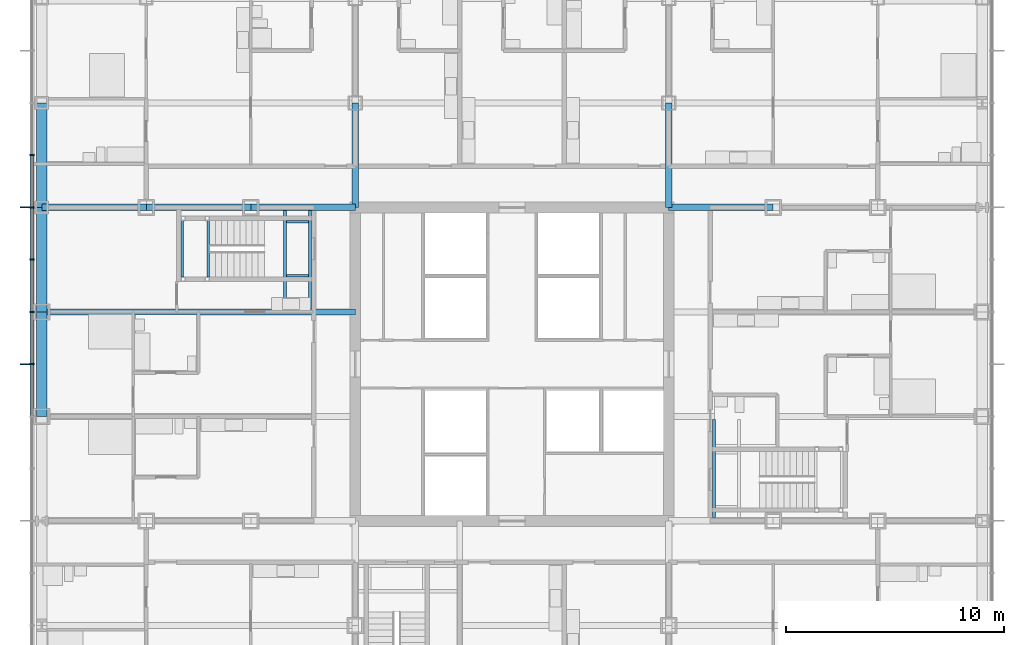
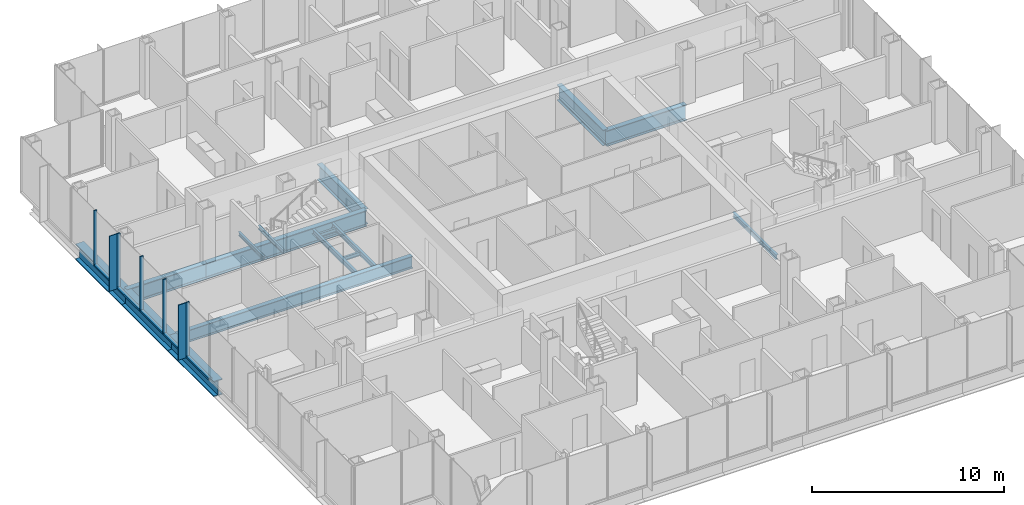
# One storey, part 8 of 21: 17 beams, 12 members, 1 element without a shape of its own.
"""IFC4 building model written with IfcOpenShell, lengths in metres."""

from ifc_helpers import new_model, si_unit, direction, frame, origin, origin_2d, place, context, subcontext, project, spatial, rectangle, i_section, extrude, material, material_profile, profile_set, type_object, element, aggregate, save


model = new_model("IFC4")

# Units and contexts
model_context = context("Model", 3, precision=1e-05, world=origin(), true_north=direction((0.0, 1.0)))
body_context = subcontext(model_context, "Body", "Model", "MODEL_VIEW")
ifc_project = project(units=[si_unit("LENGTHUNIT", "METRE"), si_unit("AREAUNIT", "SQUARE_METRE"), si_unit("VOLUMEUNIT", "CUBIC_METRE"), si_unit("PLANEANGLEUNIT", "RADIAN"), si_unit("MASSUNIT", "GRAM", prefix="KILO")], contexts=[model_context])

# Site, building, storey
site_placement = place(None, origin())
site = spatial("IfcSite", under=ifc_project, at=site_placement, CompositionType="ELEMENT")
building_placement = place(site_placement, origin())
building = spatial("IfcBuilding", under=site, at=building_placement, Name="Kvirike Care Tower", CompositionType="ELEMENT")
storey_placement = place(building_placement, frame((0.0, 0.0, 48.0)))
storey = spatial("IfcBuildingStorey", under=building, at=storey_placement, Name="L12", CompositionType="ELEMENT", Elevation=48.0)

# Curtain wall, members
ifc_material_1 = material(Name="Anodised aluminium stick system", Category="aluminium")
curtain_wall_type = type_object("IfcCurtainWallType", Name="CW-A STICK CURTAIN WALL", PredefinedType="NOTDEFINED", material=ifc_material_1)
curtain_wall_placement = place(storey_placement, origin())
curtain_wall = element("IfcCurtainWall", 1, at=curtain_wall_placement, inside=storey, type_object=curtain_wall_type, Name="Curtain wall L12 face 1", PredefinedType="NOTDEFINED")
ifc_material_2 = material(Name="Bronze anodised aluminium fin", Category="aluminium")
ifc_material_profile_1 = material_profile(ifc_material_2, rectangle(XDim=0.050048828125, YDim=0.449951171875, at=origin_2d()), Name="BRONZE FIN 450")
ifc_profile_set_1 = profile_set([ifc_material_profile_1], Name="Bronze anodised aluminium fin")
member_type_1 = type_object("IfcMemberType", Name="BRONZE FIN 450", PredefinedType="USERDEFINED", material=ifc_profile_set_1)
member_1_placement = place(storey_placement, frame((-0.77490234375, 43.199951171875, 0.0), z_axis=(0.0, 0.0, 1.0), x_axis=(0.0, -1.0, 0.0)))
member_1 = element("IfcMember", 2, at=member_1_placement, type_object=member_type_1, Name="Bronze fin L12 face 1.5", ObjectType="FIN", PredefinedType="USERDEFINED", context=body_context, shape_type="SweptSolid", body=[
    extrude(rectangle(XDim=0.050048828125, YDim=0.449951171875, at=origin_2d()), origin(), (0.0, 0.0, 1.0), 3.5),
])
member_2_placement = place(storey_placement, frame((-0.77490234375, 36.0, 0.0), z_axis=(0.0, 0.0, 1.0), x_axis=(0.0, -1.0, 0.0)))
member_2 = element("IfcMember", 3, at=member_2_placement, type_object=member_type_1, Name="Bronze fin L12 face 1.8", ObjectType="FIN", PredefinedType="USERDEFINED", context=body_context, shape_type="SweptSolid", body=[
    extrude(rectangle(XDim=0.050048828125, YDim=0.449951171875, at=origin_2d()), origin(), (0.0, 0.0, 1.0), 3.5),
])
ifc_material_3 = material(Name="Bronze anodised aluminium mullion", Category="aluminium")
ifc_material_profile_2 = material_profile(ifc_material_3, rectangle(XDim=0.06494140625, YDim=0.199951171875, at=origin_2d()), Name="CW-A MULLION 65x200")
ifc_profile_set_2 = profile_set([ifc_material_profile_2], Name="Bronze anodised aluminium mullion")
member_type_2 = type_object("IfcMemberType", Name="CW-A MULLION 65x200", PredefinedType="MULLION", material=ifc_profile_set_2)
member_3_placement = place(storey_placement, frame((-0.449951171875, 45.60009765625, 0.0), z_axis=(0.0, 0.0, 1.0), x_axis=(0.0, -1.0, 0.0)))
member_3 = element("IfcMember", 4, at=member_3_placement, type_object=member_type_2, Name="CW-A mullion L12 face 1.4", PredefinedType="MULLION", context=body_context, shape_type="SweptSolid", body=[
    extrude(rectangle(XDim=0.06494140625, YDim=0.199951171875, at=origin_2d()), origin(), (0.0, 0.0, 1.0), 3.5),
])
member_4_placement = place(storey_placement, frame((-0.449951171875, 43.199951171875, 0.0), z_axis=(0.0, 0.0, 1.0), x_axis=(0.0, -1.0, 0.0)))
member_4 = element("IfcMember", 5, at=member_4_placement, type_object=member_type_2, Name="CW-A mullion L12 face 1.5", PredefinedType="MULLION", context=body_context, shape_type="SweptSolid", body=[
    extrude(rectangle(XDim=0.06494140625, YDim=0.199951171875, at=origin_2d()), origin(), (0.0, 0.0, 1.0), 3.5),
])
member_5_placement = place(storey_placement, frame((-0.449951171875, 40.800048828125, 0.0), z_axis=(0.0, 0.0, 1.0), x_axis=(0.0, -1.0, 0.0)))
member_5 = element("IfcMember", 6, at=member_5_placement, type_object=member_type_2, Name="CW-A mullion L12 face 1.6", PredefinedType="MULLION", context=body_context, shape_type="SweptSolid", body=[
    extrude(rectangle(XDim=0.06494140625, YDim=0.199951171875, at=origin_2d()), origin(), (0.0, 0.0, 1.0), 3.5),
])
member_6_placement = place(storey_placement, frame((-0.449951171875, 38.39990234375, 0.0), z_axis=(0.0, 0.0, 1.0), x_axis=(0.0, -1.0, 0.0)))
member_6 = element("IfcMember", 7, at=member_6_placement, type_object=member_type_2, Name="CW-A mullion L12 face 1.7", PredefinedType="MULLION", context=body_context, shape_type="SweptSolid", body=[
    extrude(rectangle(XDim=0.06494140625, YDim=0.199951171875, at=origin_2d()), origin(), (0.0, 0.0, 1.0), 3.5),
])
member_7_placement = place(storey_placement, frame((-0.449951171875, 36.0, 0.0), z_axis=(0.0, 0.0, 1.0), x_axis=(0.0, -1.0, 0.0)))
member_7 = element("IfcMember", 8, at=member_7_placement, type_object=member_type_2, Name="CW-A mullion L12 face 1.8", PredefinedType="MULLION", context=body_context, shape_type="SweptSolid", body=[
    extrude(rectangle(XDim=0.06494140625, YDim=0.199951171875, at=origin_2d()), origin(), (0.0, 0.0, 1.0), 3.5),
])
ifc_material_4 = material(Name="Bronze anodised aluminium transom", Category="aluminium")
ifc_material_profile_3 = material_profile(ifc_material_4, rectangle(XDim=0.199951171875, YDim=0.10009765625, at=origin_2d()), Name="CW-A TRANSOM 200x100")
ifc_profile_set_3 = profile_set([ifc_material_profile_3], Name="Bronze anodised aluminium transom")
member_type_3 = type_object("IfcMemberType", Name="CW-A TRANSOM 200x100", PredefinedType="USERDEFINED", material=ifc_profile_set_3)
member_8_placement = place(storey_placement, frame((-0.449951171875, 45.5673828125, 0.050048828125), z_axis=(0.0, -1.0, 0.0), x_axis=(1.0, 0.0, 0.0)))
member_8 = element("IfcMember", 9, at=member_8_placement, type_object=member_type_3, Name="CW-A sill transom L12 face 1.4", ObjectType="TRANSOM", PredefinedType="USERDEFINED", context=body_context, shape_type="SweptSolid", body=[
    extrude(rectangle(XDim=0.199951171875, YDim=0.10009765625, at=origin_2d()), origin(), (0.0, 0.0, 1.0), 2.3349609375),
])
member_9_placement = place(storey_placement, frame((-0.449951171875, 43.16748046875, 0.050048828125), z_axis=(0.0, -1.0, 0.0), x_axis=(1.0, 0.0, 0.0)))
member_9 = element("IfcMember", 10, at=member_9_placement, type_object=member_type_3, Name="CW-A sill transom L12 face 1.5", ObjectType="TRANSOM", PredefinedType="USERDEFINED", context=body_context, shape_type="SweptSolid", body=[
    extrude(rectangle(XDim=0.199951171875, YDim=0.10009765625, at=origin_2d()), origin(), (0.0, 0.0, 1.0), 2.3349609375),
])
member_10_placement = place(storey_placement, frame((-0.449951171875, 40.767578125, 0.050048828125), z_axis=(0.0, -1.0, 0.0), x_axis=(1.0, 0.0, 0.0)))
member_10 = element("IfcMember", 11, at=member_10_placement, type_object=member_type_3, Name="CW-A sill transom L12 face 1.6", ObjectType="TRANSOM", PredefinedType="USERDEFINED", context=body_context, shape_type="SweptSolid", body=[
    extrude(rectangle(XDim=0.199951171875, YDim=0.10009765625, at=origin_2d()), origin(), (0.0, 0.0, 1.0), 2.3349609375),
])
member_11_placement = place(storey_placement, frame((-0.449951171875, 38.367431640625, 0.050048828125), z_axis=(0.0, -1.0, 0.0), x_axis=(1.0, 0.0, 0.0)))
member_11 = element("IfcMember", 12, at=member_11_placement, type_object=member_type_3, Name="CW-A sill transom L12 face 1.7", ObjectType="TRANSOM", PredefinedType="USERDEFINED", context=body_context, shape_type="SweptSolid", body=[
    extrude(rectangle(XDim=0.199951171875, YDim=0.10009765625, at=origin_2d()), origin(), (0.0, 0.0, 1.0), 2.3349609375),
])
member_12_placement = place(storey_placement, frame((-0.449951171875, 35.967529296875, 0.050048828125), z_axis=(0.0, -1.0, 0.0), x_axis=(1.0, 0.0, 0.0)))
member_12 = element("IfcMember", 13, at=member_12_placement, type_object=member_type_3, Name="CW-A sill transom L12 face 1.8", ObjectType="TRANSOM", PredefinedType="USERDEFINED", context=body_context, shape_type="SweptSolid", body=[
    extrude(rectangle(XDim=0.199951171875, YDim=0.10009765625, at=origin_2d()), origin(), (0.0, 0.0, 1.0), 2.3349609375),
])
aggregate(curtain_wall, [member_3, member_4, member_1, member_5, member_6, member_7, member_2, member_8, member_9, member_10, member_11, member_12])

# Beams
ifc_material_5 = material(Name="Steel S355", Category="steel")
ifc_material_profile_4 = material_profile(ifc_material_5, i_section(OverallWidth=0.26806640625, OverallDepth=0.77001953125, WebThickness=0.015625, FlangeThickness=0.025390625, FilletRadius=0.01708984375, at=origin_2d()), Name="IPE 750x196")
ifc_profile_set_4 = profile_set([ifc_material_profile_4], Name="Steel S355")
beam_type_1 = type_object("IfcBeamType", Name="FLOOR BEAM IPE 750x196", PredefinedType="BEAM", material=ifc_profile_set_4)
beam_1_placement = place(storey_placement, frame((0.0, 38.39990234375, -0.554931640625), z_axis=(1.0, 0.0, 0.0), x_axis=(0.0, 1.0, 0.0)))
element("IfcBeam", 14, at=beam_1_placement, inside=storey, type_object=beam_type_1, Name="Floor Beam J3-J6 L12", PredefinedType="BEAM", context=body_context, shape_type="SweptSolid", body=[
    extrude(i_section(OverallWidth=0.26806640625, OverallDepth=0.77001953125, WebThickness=0.015625, FlangeThickness=0.025390625, FilletRadius=0.01708984375, at=origin_2d()), origin(), (0.0, 0.0, 1.0), 14.39990234375),
])
ifc_material_6 = material(Name="Steel S355", Category="steel")
ifc_material_profile_5 = material_profile(ifc_material_6, i_section(OverallWidth=0.300048828125, OverallDepth=1.0, WebThickness=0.01904296875, FlangeThickness=0.035888671875, FilletRadius=0.030029296875, at=origin_2d()), Name="HE 1000 B")
ifc_profile_set_5 = profile_set([ifc_material_profile_5], Name="Steel S355")
beam_type_2 = type_object("IfcBeamType", Name="FRAME BEAM HE 1000 B", PredefinedType="BEAM", material=ifc_profile_set_5)
for number, where, z_axis, x_axis, name in (
    (15, (0.0, 43.199951171875, -0.669921875), (1.0, 0.0, 0.0), (0.0, 1.0, 0.0), "Frame Beam K3-K4 L12"),
    (16, (4.800048828125, 43.199951171875, -0.669921875), (1.0, 0.0, 0.0), (0.0, 1.0, 0.0), "Frame Beam K4-K5 L12"),
):
    element("IfcBeam", number, at=place(storey_placement, frame(where, z_axis=z_axis, x_axis=x_axis)), inside=storey, type_object=beam_type_2, Name=name, PredefinedType="BEAM", context=body_context, shape_type="SweptSolid", body=[
        extrude(i_section(OverallWidth=0.300048828125, OverallDepth=1.0, WebThickness=0.01904296875, FlangeThickness=0.035888671875, FilletRadius=0.030029296875, at=origin_2d()), origin(), (0.0, 0.0, 1.0), 4.800048828125),
    ])
beam_2_placement = place(storey_placement, frame((9.60009765625, 43.199951171875, -0.669921875), z_axis=(1.0, 0.0, 0.0), x_axis=(0.0, 1.0, 0.0)))
element("IfcBeam", 17, at=beam_2_placement, inside=storey, type_object=beam_type_2, Name="Frame Beam K5-K6 L12", PredefinedType="BEAM", context=body_context, shape_type="SweptSolid", body=[
    extrude(i_section(OverallWidth=0.300048828125, OverallDepth=1.0, WebThickness=0.01904296875, FlangeThickness=0.035888671875, FilletRadius=0.030029296875, at=origin_2d()), origin(), (0.0, 0.0, 1.0), 4.7998046875),
])
for number, where, z_axis, x_axis, name in (
    (18, (28.800048828125, 43.199951171875, -0.669921875), (1.0, 0.0, 0.0), (0.0, 1.0, 0.0), "Frame Beam K9-K10 L12"),
    (19, (14.39990234375, 43.199951171875, -0.669921875), (0.0, 1.0, 0.0), (-1.0, 0.0, 0.0), "Frame Beam K6-L6 L12"),
    (20, (28.800048828125, 43.199951171875, -0.669921875), (0.0, 1.0, 0.0), (-1.0, 0.0, 0.0), "Frame Beam K9-L9 L12"),
):
    element("IfcBeam", number, at=place(storey_placement, frame(where, z_axis=z_axis, x_axis=x_axis)), inside=storey, type_object=beam_type_2, Name=name, PredefinedType="BEAM", context=body_context, shape_type="SweptSolid", body=[
        extrude(i_section(OverallWidth=0.300048828125, OverallDepth=1.0, WebThickness=0.01904296875, FlangeThickness=0.035888671875, FilletRadius=0.030029296875, at=origin_2d()), origin(), (0.0, 0.0, 1.0), 4.800048828125),
    ])
ifc_material_7 = material(Name="Steel S355", Category="steel")
ifc_material_profile_6 = material_profile(ifc_material_7, i_section(OverallWidth=0.5, OverallDepth=1.0, WebThickness=0.030029296875, FlangeThickness=0.06005859375, at=origin_2d()), Name="PG 1000x500x30x60")
ifc_profile_set_6 = profile_set([ifc_material_profile_6], Name="Steel S355")
beam_type_3 = type_object("IfcBeamType", Name="SPANDREL PG 1000x500x30x60", PredefinedType="SPANDREL", material=ifc_profile_set_6)
beam_3_placement = place(storey_placement, frame((0.0, 33.60009765625, -0.669921875), z_axis=(0.0, 1.0, 0.0), x_axis=(-1.0, 0.0, 0.0)))
element("IfcBeam", 21, at=beam_3_placement, inside=storey, type_object=beam_type_3, Name="Spandrel H3-J3 L12", PredefinedType="SPANDREL", context=body_context, shape_type="SweptSolid", body=[
    extrude(i_section(OverallWidth=0.5, OverallDepth=1.0, WebThickness=0.030029296875, FlangeThickness=0.06005859375, at=origin_2d()), origin(), (0.0, 0.0, 1.0), 4.7998046875),
])
for number, where, z_axis, x_axis, name in (
    (22, (0.0, 38.39990234375, -0.669921875), (0.0, 1.0, 0.0), (-1.0, 0.0, 0.0), "Spandrel J3-K3 L12"),
    (23, (0.0, 43.199951171875, -0.669921875), (0.0, 1.0, 0.0), (-1.0, 0.0, 0.0), "Spandrel K3-L3 L12"),
):
    element("IfcBeam", number, at=place(storey_placement, frame(where, z_axis=z_axis, x_axis=x_axis)), inside=storey, type_object=beam_type_3, Name=name, PredefinedType="SPANDREL", context=body_context, shape_type="SweptSolid", body=[
        extrude(i_section(OverallWidth=0.5, OverallDepth=1.0, WebThickness=0.030029296875, FlangeThickness=0.06005859375, at=origin_2d()), origin(), (0.0, 0.0, 1.0), 4.800048828125),
    ])
ifc_material_8 = material(Name="Steel S355", Category="steel")
ifc_material_profile_7 = material_profile(ifc_material_8, i_section(OverallWidth=0.1201171875, OverallDepth=0.239990234375, WebThickness=0.006103515625, FlangeThickness=0.009765625, FilletRadius=0.014892578125, at=origin_2d()), Name="IPE 240")
ifc_profile_set_7 = profile_set([ifc_material_profile_7], Name="Steel S355")
beam_type_4 = type_object("IfcBeamType", Name="STAIR LANDING BEAM IPE 240", PredefinedType="BEAM", material=ifc_profile_set_7)
for number, where, z_axis, x_axis, name in (
    (24, (6.4599609375, 42.60009765625, 1.429931640625), (0.0, -1.0, 0.0), (1.0, 0.0, 0.0), "Stair 1 landing beam back L12"),
    (25, (7.639892578125, 42.60009765625, 1.429931640625), (0.0, -1.0, 0.0), (1.0, 0.0, 0.0), "Stair 1 landing beam front L12"),
):
    element("IfcBeam", number, at=place(storey_placement, frame(where, z_axis=z_axis, x_axis=x_axis)), inside=storey, type_object=beam_type_4, Name=name, PredefinedType="BEAM", context=body_context, shape_type="SweptSolid", body=[
        extrude(i_section(OverallWidth=0.1201171875, OverallDepth=0.239990234375, WebThickness=0.006103515625, FlangeThickness=0.009765625, FilletRadius=0.014892578125, at=origin_2d()), origin(), (0.0, 0.0, 1.0), 2.60009765625),
    ])
for number, where, z_axis, x_axis, name in (
    (26, (11.25, 42.5400390625, -0.320068359375), (1.0, 0.0, 0.0), (0.0, 1.0, 0.0), "Stair 1 landing edge beam 1 L12"),
    (27, (11.25, 40.06005859375, -0.320068359375), (1.0, 0.0, 0.0), (0.0, 1.0, 0.0), "Stair 1 landing edge beam 2 L12"),
):
    element("IfcBeam", number, at=place(storey_placement, frame(where, z_axis=z_axis, x_axis=x_axis)), inside=storey, type_object=beam_type_4, Name=name, PredefinedType="BEAM", context=body_context, shape_type="SweptSolid", body=[
        extrude(i_section(OverallWidth=0.1201171875, OverallDepth=0.239990234375, WebThickness=0.006103515625, FlangeThickness=0.009765625, FilletRadius=0.014892578125, at=origin_2d()), origin(), (0.0, 0.0, 1.0), 1.0),
    ])
ifc_material_9 = material(Name="Steel S355", Category="steel")
ifc_material_profile_8 = material_profile(ifc_material_9, i_section(OverallWidth=0.14990234375, OverallDepth=0.300048828125, WebThickness=0.007080078125, FlangeThickness=0.0107421875, FilletRadius=0.014892578125, at=origin_2d()), Name="IPE 300")
ifc_profile_set_8 = profile_set([ifc_material_profile_8], Name="Steel S355")
beam_type_5 = type_object("IfcBeamType", Name="STAIR TRIMMER IPE 300", PredefinedType="BEAM", material=ifc_profile_set_8)
for number, where, z_axis, x_axis, name in (
    (28, (11.175048828125, 43.050048828125, -0.35009765625), (0.0, -1.0, 0.0), (1.0, 0.0, 0.0), "Stair 1 trimmer 1 L12"),
    (29, (12.324951171875, 43.050048828125, -0.35009765625), (0.0, -1.0, 0.0), (1.0, 0.0, 0.0), "Stair 1 trimmer 2 L12"),
    (30, (30.875, 28.949951171875, -0.35009765625), (0.0, 1.0, 0.0), (-1.0, 0.0, 0.0), "Stair 2 trimmer 2 L12"),
):
    element("IfcBeam", number, at=place(storey_placement, frame(where, z_axis=z_axis, x_axis=x_axis)), inside=storey, type_object=beam_type_5, Name=name, PredefinedType="BEAM", context=body_context, shape_type="SweptSolid", body=[
        extrude(i_section(OverallWidth=0.14990234375, OverallDepth=0.300048828125, WebThickness=0.007080078125, FlangeThickness=0.0107421875, FilletRadius=0.014892578125, at=origin_2d()), origin(), (0.0, 0.0, 1.0), 4.51611328125),
    ])

save(model, "model.ifc")
